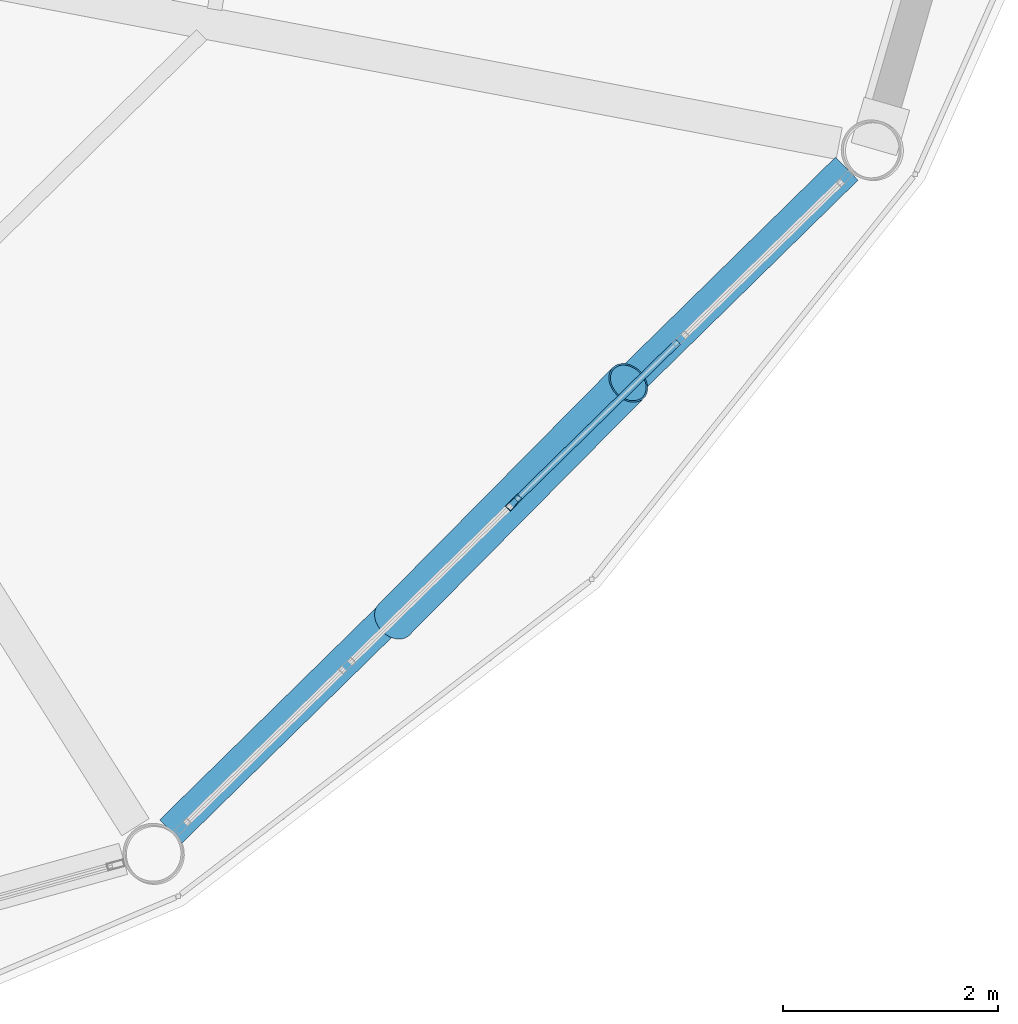
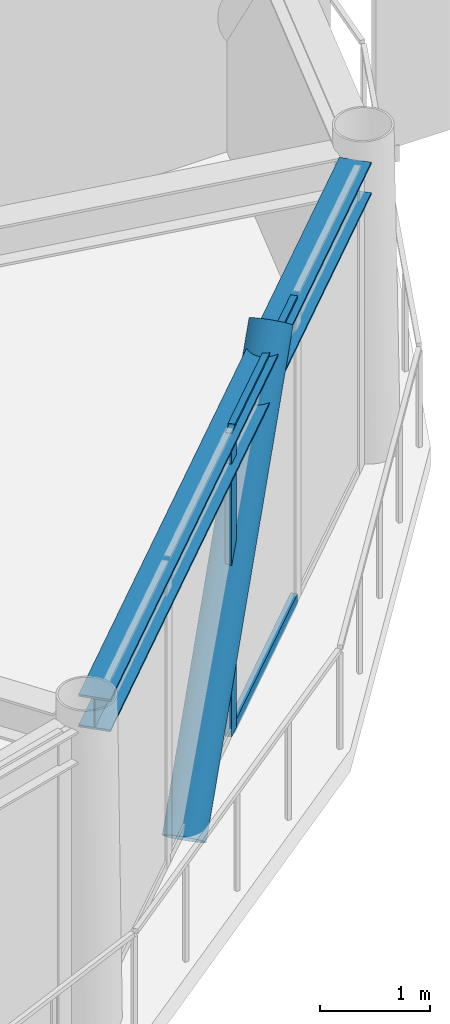
# One storey, part 8 of 25: 4 members, 1 beam, 1 element without a shape of its own.
"""IFC4 building model written with IfcOpenShell, lengths in metres."""

from ifc_helpers import new_model, si_unit, direction, frame, origin, origin_2d, place, context, subcontext, project, spatial, hollow_rectangle, hollow_circle, i_section, extrude, material, layer, layer_set, material_profile, profile_set, type_object, element, aggregate, save


model = new_model("IFC4")

# Units and contexts
model_context = context("Model", 3, precision=1e-05, world=origin(), true_north=direction((0.0, 1.0)))
body_context = subcontext(model_context, "Body", "Model", "MODEL_VIEW")
ifc_project = project(units=[si_unit("LENGTHUNIT", "METRE"), si_unit("AREAUNIT", "SQUARE_METRE"), si_unit("VOLUMEUNIT", "CUBIC_METRE"), si_unit("PLANEANGLEUNIT", "RADIAN"), si_unit("MASSUNIT", "GRAM", prefix="KILO")], contexts=[model_context])

# Site, building, storey
site_placement = place(None, origin())
site = spatial("IfcSite", under=ifc_project, at=site_placement, CompositionType="ELEMENT")
building_placement = place(site_placement, origin())
building = spatial("IfcBuilding", under=site, at=building_placement, Name="Varnakorn Sky Granary", CompositionType="ELEMENT")
storey_placement = place(building_placement, frame((0.0, 0.0, 252.60009765625)))
storey = spatial("IfcBuildingStorey", under=building, at=storey_placement, Name="L64", CompositionType="ELEMENT", Elevation=252.60009765625)

# Beam
ifc_material_1 = material(Name="Steel S355JR", Category="steel")
ifc_material_profile_1 = material_profile(ifc_material_1, i_section(OverallWidth=0.300048828125, OverallDepth=0.360107421875, WebThickness=0.012451171875, FlangeThickness=0.0224609375, at=origin_2d()), Name="HE 360 B")
ifc_profile_set_1 = profile_set([ifc_material_profile_1], Name="Steel S355JR")
beam_type = type_object("IfcBeamType", Name="BM-SPD-Z5", PredefinedType="SPANDREL", material=ifc_profile_set_1)
beam_placement = place(storey_placement, frame((14.1513671875, -15.290771484375, 3.179931640625), z_axis=(0.714011744048, 0.700133722486, 0.0), x_axis=(-0.700133722486, 0.714011744048, 0.0)))
element("IfcBeam", 1, at=beam_placement, inside=storey, type_object=beam_type, Name="Perimeter Spandrel Ring Beam RB11 L64", PredefinedType="SPANDREL", context=body_context, shape_type="SweptSolid", body=[
    extrude(i_section(OverallWidth=0.300048828125, OverallDepth=0.360107421875, WebThickness=0.012451171875, FlangeThickness=0.0224609375, at=origin_2d()), origin(), (0.0, 0.0, 1.0), 8.8134765625),
])

# Curtain wall, members
ifc_material_2 = material(Name="Anodised Bronze Aluminium Alloy 6063-T6", Category="aluminium")
ifc_layer = layer(ifc_material_2, 0.159912109375, Name="Anodised Bronze Aluminium Alloy 6063-T6")
ifc_layer_set = layer_set([ifc_layer], Name="Anodised Bronze Aluminium Alloy 6063-T6")
curtain_wall_type = type_object("IfcCurtainWallType", Name="CW-OFF-1", PredefinedType="USERDEFINED", material=ifc_layer_set)
curtain_wall_placement = place(storey_placement, origin())
curtain_wall = element("IfcCurtainWall", 2, at=curtain_wall_placement, inside=storey, type_object=curtain_wall_type, Name="Unitised Curtain Wall CW6 CW-L64-B11", ObjectType="CURTAIN WALL", PredefinedType="USERDEFINED")
ifc_material_profile_2 = material_profile(ifc_material_2, hollow_rectangle(XDim=0.06494140625, YDim=0.159912109375, WallThickness=0.00341796875, at=origin_2d()), Name="ALU MULL 65x160")
ifc_profile_set_2 = profile_set([ifc_material_profile_2], Name="Anodised Bronze Aluminium Alloy 6063-T6")
member_type_1 = type_object("IfcMemberType", Name="CW-OFF-1-MULL", PredefinedType="MULLION", material=ifc_profile_set_2)
member_1_placement = place(storey_placement, frame((17.34375, -12.228759765625, 0.0), z_axis=(0.0, 0.0, 1.0), x_axis=(0.699482431072, -0.71464979439, 0.0)))
member_1 = element("IfcMember", 3, at=member_1_placement, type_object=member_type_1, Name="CW6 mullion 3", PredefinedType="MULLION", context=body_context, shape_type="SweptSolid", body=[
    extrude(hollow_rectangle(XDim=0.06494140625, YDim=0.159912109375, WallThickness=0.00341796875, at=origin_2d()), origin(), (0.0, 0.0, 1.0), 3.35986328125),
])
ifc_material_profile_3 = material_profile(ifc_material_2, hollow_rectangle(XDim=0.06494140625, YDim=0.1201171875, WallThickness=0.00341796875, at=origin_2d()), Name="ALU TRAN 65x120")
ifc_profile_set_3 = profile_set([ifc_material_profile_3], Name="Anodised Bronze Aluminium Alloy 6063-T6")
member_type_2 = type_object("IfcMemberType", Name="CW-OFF-1-TRAN", PredefinedType="USERDEFINED", material=ifc_profile_set_3)
member_2_placement = place(storey_placement, frame((18.873046875, -10.731689453125, 0.032470703125), z_axis=(-0.714653980402, -0.699478154266, 0.0), x_axis=(0.699478154266, -0.714653980402, 0.0)))
member_2 = element("IfcMember", 4, at=member_2_placement, type_object=member_type_2, Name="CW6 transom 2.1", ObjectType="TRANSOM", PredefinedType="USERDEFINED", context=body_context, shape_type="SweptSolid", body=[
    extrude(hollow_rectangle(XDim=0.06494140625, YDim=0.1201171875, WallThickness=0.00341796875, at=origin_2d()), origin(), (0.0, 0.0, 1.0), 2.107421875),
])
member_3_placement = place(storey_placement, frame((18.873046875, -10.731689453125, 3.327392578125), z_axis=(-0.714653980402, -0.699478154266, 0.0), x_axis=(0.699478154266, -0.714653980402, 0.0)))
member_3 = element("IfcMember", 5, at=member_3_placement, type_object=member_type_2, Name="CW6 transom 2.2", ObjectType="TRANSOM", PredefinedType="USERDEFINED", context=body_context, shape_type="SweptSolid", body=[
    extrude(hollow_rectangle(XDim=0.06494140625, YDim=0.1201171875, WallThickness=0.00341796875, at=origin_2d()), origin(), (0.0, 0.0, 1.0), 2.107421875),
])
aggregate(curtain_wall, [member_1, member_2, member_3])

# Member
ifc_material_3 = material(Name="Steel S460M", Category="steel")
ifc_material_profile_4 = material_profile(ifc_material_3, hollow_circle(Radius=0.203125, WallThickness=0.01611328125, at=origin_2d()), Name="CHS 406.4x16")
ifc_profile_set_4 = profile_set([ifc_material_profile_4], Name="Steel S460M")
member_type_3 = type_object("IfcMemberType", Name="MB-DIAG-T4", PredefinedType="BRACE", material=ifc_profile_set_4)
member_4_placement = place(storey_placement, frame((16.227783203125, -13.32080078125, -0.130126953125), z_axis=(0.457644597658, 0.462611759566, 0.75931006983), x_axis=(-0.710913094372, 0.703279867656, 0.0)))
element("IfcMember", 6, at=member_4_placement, inside=storey, type_object=member_type_3, Name="Perimeter CHS Diagrid Brace DG11 L64", PredefinedType="BRACE", context=body_context, shape_type="SweptSolid", body=[
    extrude(hollow_circle(Radius=0.203125, WallThickness=0.01611328125, at=origin_2d()), origin(), (0.0, 0.0, 1.0), 4.767578125),
])

save(model, "model.ifc")
